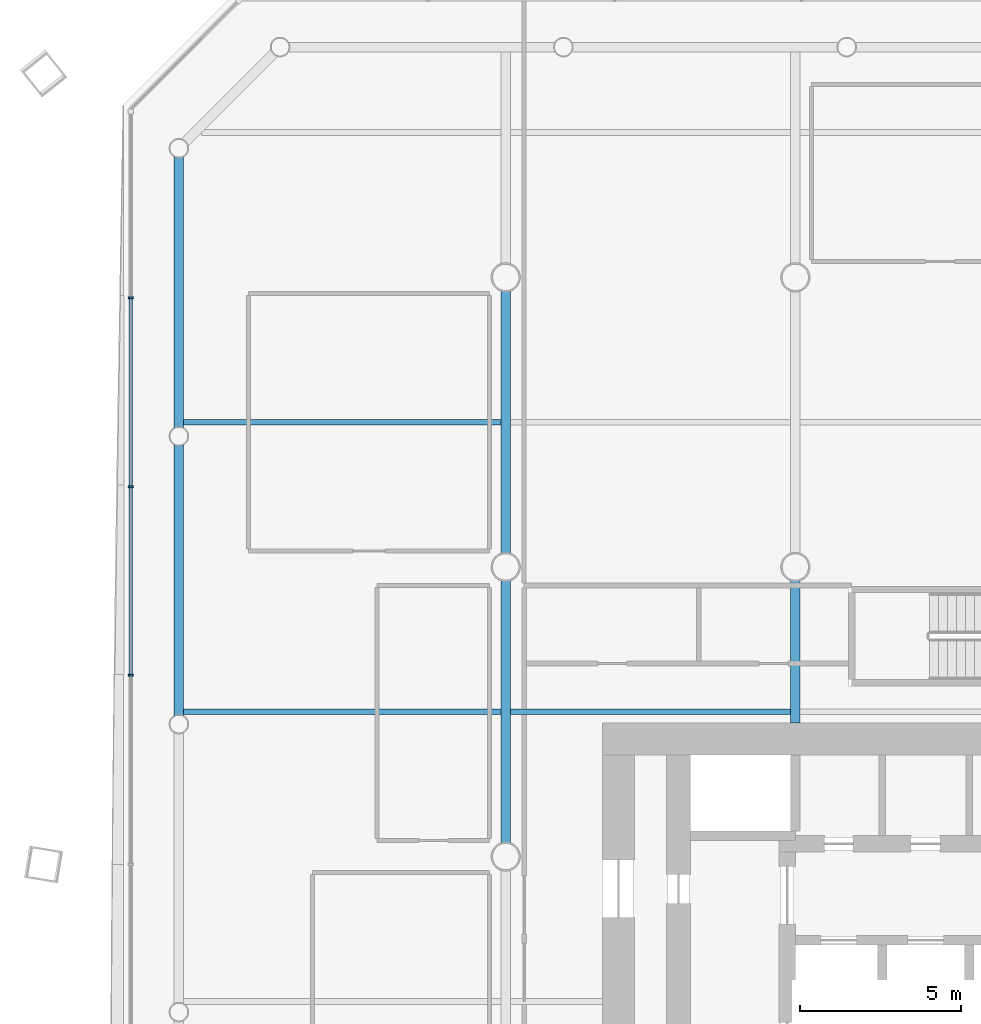
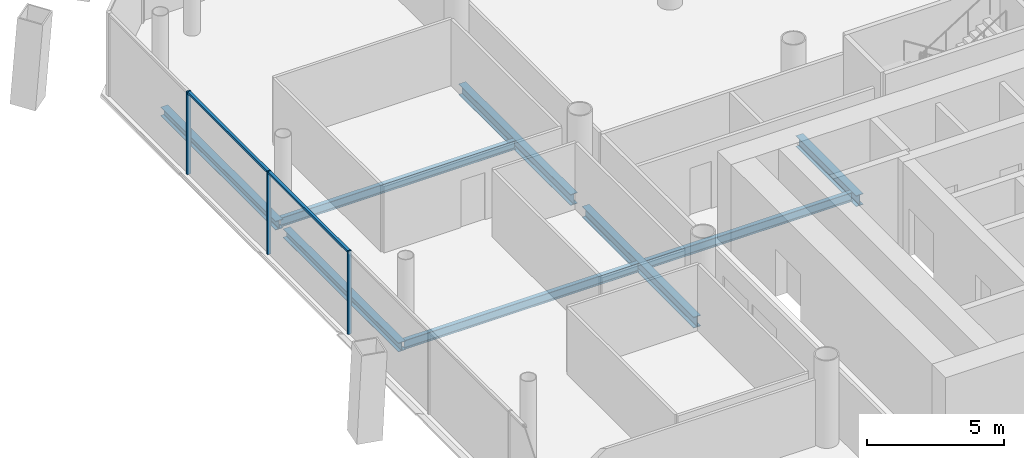
# One storey, part 7 of 21: 8 beams, 5 members, 1 element without a shape of its own.
"""IFC4 building model written with IfcOpenShell, lengths in metres."""

from ifc_helpers import new_model, si_unit, direction, frame, origin, origin_2d, place, context, subcontext, project, spatial, rectangle, i_section, extrude, material, material_profile, profile_set, type_object, element, aggregate, save


model = new_model("IFC4")

# Units and contexts
model_context = context("Model", 3, precision=1e-05, world=origin(), true_north=direction((0.0, 1.0)))
body_context = subcontext(model_context, "Body", "Model", "MODEL_VIEW")
ifc_project = project(units=[si_unit("LENGTHUNIT", "METRE"), si_unit("AREAUNIT", "SQUARE_METRE"), si_unit("VOLUMEUNIT", "CUBIC_METRE"), si_unit("PLANEANGLEUNIT", "RADIAN"), si_unit("MASSUNIT", "GRAM", prefix="KILO")], contexts=[model_context])

# Site, building, storey
site_placement = place(None, origin())
site = spatial("IfcSite", under=ifc_project, at=site_placement, CompositionType="ELEMENT")
building_placement = place(site_placement, origin())
building = spatial("IfcBuilding", under=site, at=building_placement, Name="Tskaro Facet Tower", CompositionType="ELEMENT")
storey_placement = place(building_placement, frame((0.0, 0.0, 42.0)))
storey = spatial("IfcBuildingStorey", under=building, at=storey_placement, Name="L09", CompositionType="ELEMENT", Elevation=42.0)

# Curtain wall, members
ifc_material_1 = material(Name="Bronze anodised aluminium 6063-T6", Category="aluminium")
curtain_wall_type = type_object("IfcCurtainWallType", Name="Bronze office curtain wall (FW1)", PredefinedType="NOTDEFINED", material=ifc_material_1)
curtain_wall_placement = place(storey_placement, origin())
curtain_wall = element("IfcCurtainWall", 1, at=curtain_wall_placement, inside=storey, type_object=curtain_wall_type, Name="FW1 west facet L09", PredefinedType="NOTDEFINED")
ifc_material_profile_1 = material_profile(ifc_material_1, rectangle(XDim=0.06005859375, YDim=0.159912109375, at=origin_2d()), Name="Mullion 60x160")
ifc_profile_set_1 = profile_set([ifc_material_profile_1], Name="Bronze anodised aluminium 6063-T6")
member_type_1 = type_object("IfcMemberType", Name="FW1 bronze mullion 60x160", PredefinedType="MULLION", material=ifc_profile_set_1)
member_1_placement = place(storey_placement, frame((-29.654052734375, 17.366455078125, 0.0), z_axis=(0.0, 0.0, 1.0), x_axis=(0.0, -1.0, 0.0)))
member_1 = element("IfcMember", 2, at=member_1_placement, type_object=member_type_1, Name="FW1 west mullion 1", PredefinedType="MULLION", context=body_context, shape_type="SweptSolid", body=[
    extrude(rectangle(XDim=0.06005859375, YDim=0.159912109375, at=origin_2d()), origin(), (0.0, 0.0, 1.0), 3.699951171875),
])
member_2_placement = place(storey_placement, frame((-29.654052734375, 11.498046875, 0.0), z_axis=(0.0, 0.0, 1.0), x_axis=(0.0, -1.0, 0.0)))
member_2 = element("IfcMember", 3, at=member_2_placement, type_object=member_type_1, Name="FW1 west mullion 2", PredefinedType="MULLION", context=body_context, shape_type="SweptSolid", body=[
    extrude(rectangle(XDim=0.06005859375, YDim=0.159912109375, at=origin_2d()), origin(), (0.0, 0.0, 1.0), 3.699951171875),
])
member_3_placement = place(storey_placement, frame((-29.654052734375, 5.62939453125, 0.0), z_axis=(0.0, 0.0, 1.0), x_axis=(0.0, -1.0, 0.0)))
member_3 = element("IfcMember", 4, at=member_3_placement, type_object=member_type_1, Name="FW1 west mullion 3", PredefinedType="MULLION", context=body_context, shape_type="SweptSolid", body=[
    extrude(rectangle(XDim=0.06005859375, YDim=0.159912109375, at=origin_2d()), origin(), (0.0, 0.0, 1.0), 3.699951171875),
])
ifc_material_profile_2 = material_profile(ifc_material_1, rectangle(XDim=0.1201171875, YDim=0.10009765625, at=origin_2d()), Name="Transom 120x100")
ifc_profile_set_2 = profile_set([ifc_material_profile_2], Name="Bronze anodised aluminium 6063-T6")
member_type_2 = type_object("IfcMemberType", Name="FW1 bronze transom 120x100", PredefinedType="USERDEFINED", material=ifc_profile_set_2)
member_4_placement = place(storey_placement, frame((-29.654052734375, 17.33642578125, 3.64990234375), z_axis=(0.0, -1.0, 0.0), x_axis=(1.0, 0.0, 0.0)))
member_4 = element("IfcMember", 5, at=member_4_placement, type_object=member_type_2, Name="FW1 west transom 2.1", ObjectType="TRANSOM", PredefinedType="USERDEFINED", context=body_context, shape_type="SweptSolid", body=[
    extrude(rectangle(XDim=0.1201171875, YDim=0.10009765625, at=origin_2d()), origin(), (0.0, 0.0, 1.0), 5.808349609375),
])
member_5_placement = place(storey_placement, frame((-29.654052734375, 11.468017578125, 3.64990234375), z_axis=(0.0, -1.0, 0.0), x_axis=(1.0, 0.0, 0.0)))
member_5 = element("IfcMember", 6, at=member_5_placement, type_object=member_type_2, Name="FW1 west transom 3.1", ObjectType="TRANSOM", PredefinedType="USERDEFINED", context=body_context, shape_type="SweptSolid", body=[
    extrude(rectangle(XDim=0.1201171875, YDim=0.10009765625, at=origin_2d()), origin(), (0.0, 0.0, 1.0), 5.80859375),
])
aggregate(curtain_wall, [member_1, member_2, member_3, member_4, member_5])

# Beams
ifc_material_2 = material(Name="Steel S355J2", Category="steel")
ifc_material_profile_3 = material_profile(ifc_material_2, i_section(OverallWidth=0.300048828125, OverallDepth=0.39990234375, WebThickness=0.013427734375, FlangeThickness=0.02392578125, FilletRadius=0.027099609375, at=origin_2d()), Name="HE 400 B")
ifc_profile_set_3 = profile_set([ifc_material_profile_3], Name="Steel S355J2")
beam_type_1 = type_object("IfcBeamType", Name="HE 400 B ring beam", PredefinedType="BEAM", material=ifc_profile_set_3)
for number, where, z_axis, x_axis, name in (
    (7, (-28.156982421875, 21.737060546875, -0.340087890625), (0.0, -1.0, 0.0), (1.0, 0.0, 0.0), "HE 400 B EB20-1"),
    (8, (-28.156982421875, 12.7890625, -0.340087890625), (0.0, -1.0, 0.0), (1.0, 0.0, 0.0), "HE 400 B EB21-1"),
):
    element("IfcBeam", number, at=place(storey_placement, frame(where, z_axis=z_axis, x_axis=x_axis)), inside=storey, type_object=beam_type_1, Name=name, PredefinedType="BEAM", context=body_context, shape_type="SweptSolid", body=[
        extrude(i_section(OverallWidth=0.300048828125, OverallDepth=0.39990234375, WebThickness=0.013427734375, FlangeThickness=0.02392578125, FilletRadius=0.027099609375, at=origin_2d()), origin(), (0.0, 0.0, 1.0), 8.39794921875),
    ])
ifc_material_profile_4 = material_profile(ifc_material_2, i_section(OverallWidth=0.300048828125, OverallDepth=0.489990234375, WebThickness=0.011962890625, FlangeThickness=0.02294921875, FilletRadius=0.027099609375, at=origin_2d()), Name="HE 500 A")
ifc_profile_set_4 = profile_set([ifc_material_profile_4], Name="Steel S355J2")
beam_type_2 = type_object("IfcBeamType", Name="HE 500 A girder", PredefinedType="BEAM", material=ifc_profile_set_4)
for number, where, z_axis, x_axis, name in (
    (9, (-18.0, 0.42724609375, -0.385009765625), (0.0, 1.0, 0.0), (-1.0, 0.0, 0.0), "HE 500 A GB2-4-1"),
    (10, (-18.0, 9.42724609375, -0.385009765625), (0.0, 1.0, 0.0), (-1.0, 0.0, 0.0), "HE 500 A GB2-5-1"),
):
    element("IfcBeam", number, at=place(storey_placement, frame(where, z_axis=z_axis, x_axis=x_axis)), inside=storey, type_object=beam_type_2, Name=name, PredefinedType="BEAM", context=body_context, shape_type="SweptSolid", body=[
        extrude(i_section(OverallWidth=0.300048828125, OverallDepth=0.489990234375, WebThickness=0.011962890625, FlangeThickness=0.02294921875, FilletRadius=0.027099609375, at=origin_2d()), origin(), (0.0, 0.0, 1.0), 8.1455078125),
    ])
beam_1_placement = place(storey_placement, frame((-9.0, 4.14990234375, -0.385009765625), z_axis=(0.0, 1.0, 0.0), x_axis=(-1.0, 0.0, 0.0)))
element("IfcBeam", 11, at=beam_1_placement, inside=storey, type_object=beam_type_2, Name="HE 500 A GB3-3-1", PredefinedType="BEAM", context=body_context, shape_type="SweptSolid", body=[
    extrude(i_section(OverallWidth=0.300048828125, OverallDepth=0.489990234375, WebThickness=0.011962890625, FlangeThickness=0.02294921875, FilletRadius=0.027099609375, at=origin_2d()), origin(), (0.0, 0.0, 1.0), 4.4228515625),
])
ifc_material_profile_5 = material_profile(ifc_material_2, i_section(OverallWidth=0.179931640625, OverallDepth=0.39990234375, WebThickness=0.008544921875, FlangeThickness=0.013427734375, FilletRadius=0.02099609375, at=origin_2d()), Name="IPE 400")
ifc_profile_set_5 = profile_set([ifc_material_profile_5], Name="Steel S355J2")
beam_type_3 = type_object("IfcBeamType", Name="IPE 400 secondary beam", PredefinedType="BEAM", material=ifc_profile_set_5)
beam_2_placement = place(storey_placement, frame((-28.007080078125, 4.5, -0.340087890625), z_axis=(1.0, 0.0, 0.0), x_axis=(0.0, 1.0, 0.0)))
element("IfcBeam", 12, at=beam_2_placement, inside=storey, type_object=beam_type_3, Name="IPE 400 SB4a-1-1", PredefinedType="BEAM", context=body_context, shape_type="SweptSolid", body=[
    extrude(i_section(OverallWidth=0.179931640625, OverallDepth=0.39990234375, WebThickness=0.008544921875, FlangeThickness=0.013427734375, FilletRadius=0.02099609375, at=origin_2d()), origin(), (0.0, 0.0, 1.0), 9.857177734375),
])
beam_3_placement = place(storey_placement, frame((-17.85009765625, 4.5, -0.340087890625), z_axis=(1.0, 0.0, 0.0), x_axis=(0.0, 1.0, 0.0)))
element("IfcBeam", 13, at=beam_3_placement, inside=storey, type_object=beam_type_3, Name="IPE 400 SB4a-2-1", PredefinedType="BEAM", context=body_context, shape_type="SweptSolid", body=[
    extrude(i_section(OverallWidth=0.179931640625, OverallDepth=0.39990234375, WebThickness=0.008544921875, FlangeThickness=0.013427734375, FilletRadius=0.02099609375, at=origin_2d()), origin(), (0.0, 0.0, 1.0), 8.7001953125),
])
beam_4_placement = place(storey_placement, frame((-28.007080078125, 13.5, -0.340087890625), z_axis=(1.0, 0.0, 0.0), x_axis=(0.0, 1.0, 0.0)))
element("IfcBeam", 14, at=beam_4_placement, inside=storey, type_object=beam_type_3, Name="IPE 400 SB5a-1-1", PredefinedType="BEAM", context=body_context, shape_type="SweptSolid", body=[
    extrude(i_section(OverallWidth=0.179931640625, OverallDepth=0.39990234375, WebThickness=0.008544921875, FlangeThickness=0.013427734375, FilletRadius=0.02099609375, at=origin_2d()), origin(), (0.0, 0.0, 1.0), 9.857177734375),
])

save(model, "model.ifc")
